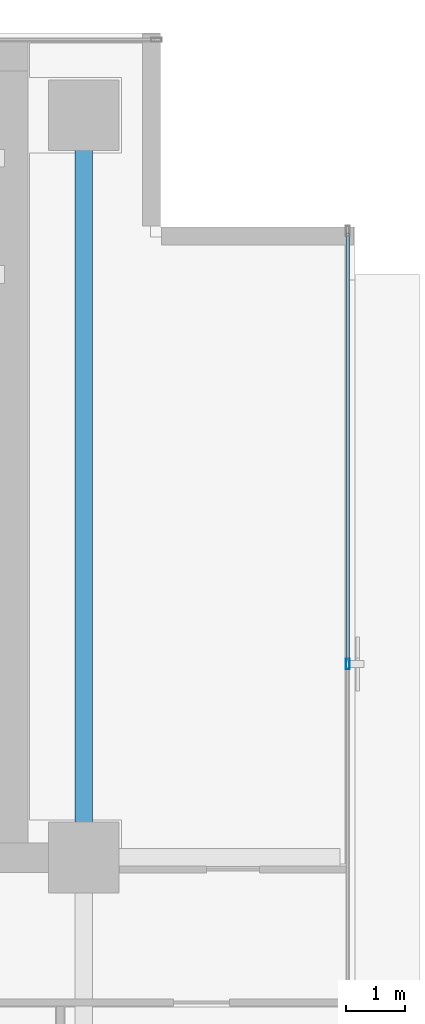
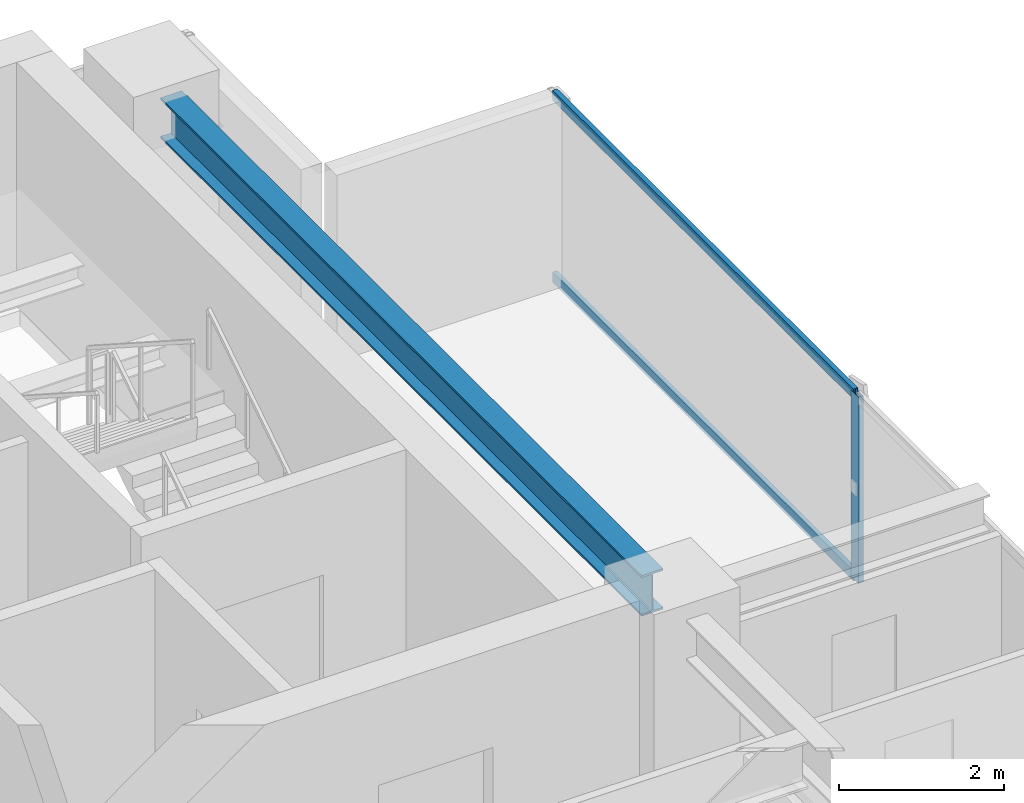
# One storey, part 11 of 22: 3 members, 1 beam, 1 element without a shape of its own.
"""IFC4 building model written with IfcOpenShell, lengths in metres."""

from ifc_helpers import new_model, si_unit, direction, frame, origin, origin_2d, place, context, subcontext, project, spatial, hollow_rectangle, i_section, extrude, source, transform, mapped, material, layer, layer_set, material_profile, profile_set, type_object, element, aggregate, save


model = new_model("IFC4")

# Units and contexts
model_context = context("Model", 3, precision=1e-05, world=origin(), true_north=direction((0.0, 1.0)))
body_context = subcontext(model_context, "Body", "Model", "MODEL_VIEW")
ifc_project = project(units=[si_unit("LENGTHUNIT", "METRE"), si_unit("AREAUNIT", "SQUARE_METRE"), si_unit("VOLUMEUNIT", "CUBIC_METRE"), si_unit("PLANEANGLEUNIT", "RADIAN"), si_unit("MASSUNIT", "GRAM", prefix="KILO")], contexts=[model_context])

# Site, building, storey
site_placement = place(None, origin())
site = spatial("IfcSite", under=ifc_project, at=site_placement, CompositionType="ELEMENT")
building_placement = place(site_placement, origin())
building = spatial("IfcBuilding", under=site, at=building_placement, Name="Sumidabori Civic Tower", CompositionType="ELEMENT")
storey_placement = place(building_placement, frame((0.0, 0.0, 272.0)))
storey = spatial("IfcBuildingStorey", under=building, at=storey_placement, Name="L71", CompositionType="ELEMENT", Elevation=272.0)

# Beam
ifc_material_1 = material(Name="Steel SN490", Category="steel")
ifc_material_profile_1 = material_profile(ifc_material_1, i_section(OverallWidth=0.300048828125, OverallDepth=0.60009765625, WebThickness=0.015380859375, FlangeThickness=0.030029296875, at=origin_2d()), Name="HE 600 B")
ifc_profile_set_1 = profile_set([ifc_material_profile_1], Name="Steel SN490")
beam_type = type_object("IfcBeamType", Name="BM-GIRD-600", PredefinedType="BEAM", material=ifc_profile_set_1)
shared_shape_1 = source(origin(), body_context, "Body", "SweptSolid", [
    extrude(i_section(OverallWidth=0.300048828125, OverallDepth=0.60009765625, WebThickness=0.015380859375, FlangeThickness=0.030029296875, at=origin_2d()), origin(), (0.0, 0.0, 1.0), 11.64013671875),
])
beam_placement = place(storey_placement, frame((16.800048828125, 10.679931640625, 3.070068359375), z_axis=(0.0, 1.0, 0.0), x_axis=(-1.0, 0.0, 0.0)))
element("IfcBeam", 1, at=beam_placement, inside=storey, type_object=beam_type, Name="Primary Girder L71 GY-17", PredefinedType="BEAM", context=body_context, shape_type="MappedRepresentation", body=[
    mapped(shared_shape_1, transform((0.0, 0.0, 0.0), x_axis=(1.0, 0.0, 0.0), y_axis=(0.0, 1.0, 0.0), z_axis=(0.0, 0.0, 1.0), scale=1.0)),
])

# Curtain wall, members
ifc_material_2 = material(Name="Anodised Bronze Aluminium AW-6063-T6", Category="aluminium")
ifc_layer = layer(ifc_material_2, 0.179931640625, Name="Anodised Bronze Aluminium AW-6063-T6")
ifc_layer_set = layer_set([ifc_layer], Name="Anodised Bronze Aluminium AW-6063-T6")
curtain_wall_type = type_object("IfcCurtainWallType", Name="CW-SYS-6", PredefinedType="NOTDEFINED", material=ifc_layer_set)
curtain_wall_placement = place(storey_placement, origin())
curtain_wall = element("IfcCurtainWall", 2, at=curtain_wall_placement, inside=storey, type_object=curtain_wall_type, Name="Curtain Wall CW:L71:R04", PredefinedType="NOTDEFINED")
ifc_material_profile_2 = material_profile(ifc_material_2, hollow_rectangle(XDim=0.070068359375, YDim=0.179931640625, WallThickness=0.006103515625, at=origin_2d()), Name="ALU MULLION 180x70")
ifc_profile_set_2 = profile_set([ifc_material_profile_2], Name="Anodised Bronze Aluminium AW-6063-T6")
member_type_1 = type_object("IfcMemberType", Name="CW-MUL-180", PredefinedType="MULLION", material=ifc_profile_set_2)
shared_shape_2 = source(origin(), body_context, "Body", "SweptSolid", [
    extrude(hollow_rectangle(XDim=0.070068359375, YDim=0.179931640625, WallThickness=0.006103515625, at=origin_2d()), origin(), (0.0, 0.0, 1.0), 2.75),
])
member_1_placement = place(storey_placement, frame((21.280029296875, 13.485107421875, 0.0), z_axis=(0.0, 0.0, 1.0), x_axis=(-1.0, 0.0, 0.0)))
member_1 = element("IfcMember", 3, at=member_1_placement, type_object=member_type_1, Name="CW-6 mullion 4", PredefinedType="MULLION", context=body_context, shape_type="MappedRepresentation", body=[
    mapped(shared_shape_2, transform((0.0, 0.0, 0.0), x_axis=(1.0, 0.0, 0.0), y_axis=(0.0, 1.0, 0.0), z_axis=(0.0, 0.0, 1.0), scale=1.0)),
])
ifc_material_profile_3 = material_profile(ifc_material_2, hollow_rectangle(XDim=0.06494140625, YDim=0.14990234375, WallThickness=0.0048828125, at=origin_2d()), Name="ALU TRANSOM 150x65")
ifc_profile_set_3 = profile_set([ifc_material_profile_3], Name="Anodised Bronze Aluminium AW-6063-T6")
member_type_2 = type_object("IfcMemberType", Name="CW-TRN-150", PredefinedType="USERDEFINED", material=ifc_profile_set_3)
shared_shape_3 = source(origin(), body_context, "Body", "SweptSolid", [
    extrude(hollow_rectangle(XDim=0.06494140625, YDim=0.14990234375, WallThickness=0.0048828125, at=origin_2d()), origin(), (0.0, 0.0, 1.0), 7.280029296875),
])
member_2_placement = place(storey_placement, frame((21.280029296875, 13.52001953125, 0.032470703125), z_axis=(0.0, 1.0, 0.0), x_axis=(-1.0, 0.0, 0.0)))
member_2 = element("IfcMember", 4, at=member_2_placement, type_object=member_type_2, Name="CW-6 transom 4.1", ObjectType="TRANSOM", PredefinedType="USERDEFINED", context=body_context, shape_type="MappedRepresentation", body=[
    mapped(shared_shape_3, transform((0.0, 0.0, 0.0), x_axis=(1.0, 0.0, 0.0), y_axis=(0.0, 1.0, 0.0), z_axis=(0.0, 0.0, 1.0), scale=1.0)),
])
member_3_placement = place(storey_placement, frame((21.280029296875, 13.52001953125, 2.717529296875), z_axis=(0.0, 1.0, 0.0), x_axis=(-1.0, 0.0, 0.0)))
member_3 = element("IfcMember", 5, at=member_3_placement, type_object=member_type_2, Name="CW-6 transom 4.2", ObjectType="TRANSOM", PredefinedType="USERDEFINED", context=body_context, shape_type="MappedRepresentation", body=[
    mapped(shared_shape_3, transform((0.0, 0.0, 0.0), x_axis=(1.0, 0.0, 0.0), y_axis=(0.0, 1.0, 0.0), z_axis=(0.0, 0.0, 1.0), scale=1.0)),
])
aggregate(curtain_wall, [member_1, member_2, member_3])

save(model, "model.ifc")
